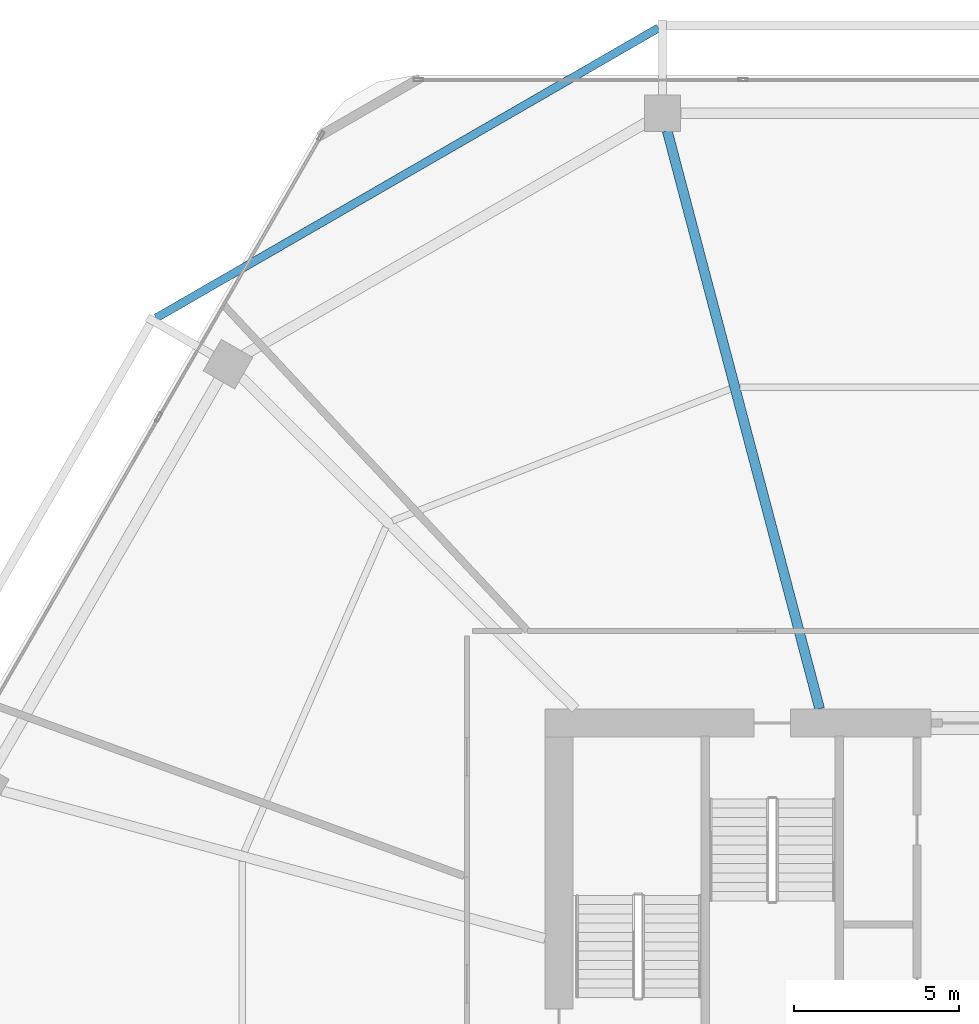
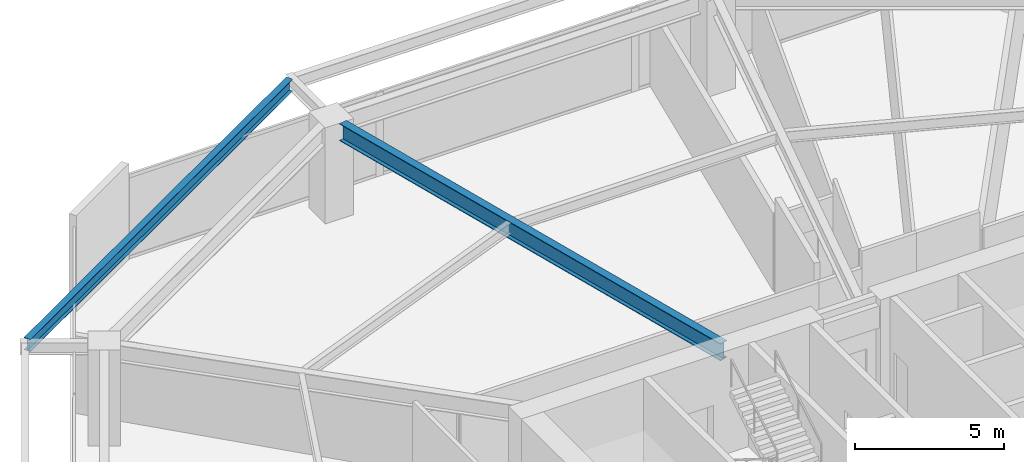
# One storey, part 16 of 28: 2 beams.
"""IFC4 building model written with IfcOpenShell, lengths in metres."""

import ifcopenshell
import ifcopenshell.guid

model = None  # the IFC model being written
_history = None  # IfcOwnerHistory: only IFC2X3 demands one
_inside = {}  # id of a spatial element -> (the spatial element, [elements in it])
_under = {}  # id of a project, library or spatial element -> (it, [spatial elements below it])
_declared = {}  # id of a project -> (the project, [libraries it declares])
_typed = {}  # id of a type object -> (the type object, [elements of that type])
_made_of = {}  # id of a material, layer set ... -> (it, [elements and type objects made of it])


def new_model(schema):
    """Start an empty IFC model of exactly this schema.

    Asked for "IFC4X3", IfcOpenShell would pick the latest addendum, in which some entities
    have other attributes; the version numbers below select the first issue.
    IFC2X3 requires an IfcOwnerHistory on every rooted entity: one is made here for all.
    """
    global model, _history
    if schema == "IFC4X3":
        model = ifcopenshell.file(schema_version=(4, 3, 0, 0))
    else:
        model = ifcopenshell.file(schema=schema)
    _inside.clear()
    _under.clear()
    _declared.clear()
    _typed.clear()
    _made_of.clear()
    _history = None
    if model.schema == "IFC2X3":
        org = make("IfcOrganization", Name="unknown")
        user = make(
            "IfcPersonAndOrganization",
            ThePerson=make("IfcPerson", FamilyName="unknown"),
            TheOrganization=org,
        )
        app = make(
            "IfcApplication",
            ApplicationDeveloper=org,
            Version="unknown",
            ApplicationFullName="unknown",
            ApplicationIdentifier="unknown",
        )
        _history = make(
            "IfcOwnerHistory",
            OwningUser=user,
            OwningApplication=app,
            ChangeAction="ADDED",
            CreationDate=0,
        )
    return model


def make(cls, **values):
    """One entity of the class cls with the attributes given. An attribute that is None is left unset."""
    return model.create_entity(
        cls, **{name: value for name, value in values.items() if value is not None}
    )


def rooted(cls, **values):
    """An entity with a GlobalId (a new one), such as an element, a storey or a relation."""
    return make(cls, GlobalId=ifcopenshell.guid.new(), OwnerHistory=_history, **values)


def si_unit(unit_type, name, prefix=None):
    """IfcSIUnit, for example si_unit("LENGTHUNIT", "METRE", prefix="MILLI")."""
    return make("IfcSIUnit", UnitType=unit_type, Prefix=prefix, Name=name)


def assignment(units):
    """IfcUnitAssignment: the units of a project."""
    return None if units is None else make("IfcUnitAssignment", Units=units)


def point(xyz):
    """IfcCartesianPoint."""
    return None if xyz is None else make("IfcCartesianPoint", Coordinates=xyz)


def direction(xyz):
    """IfcDirection."""
    return None if xyz is None else make("IfcDirection", DirectionRatios=xyz)


def frame(location, z_axis=None, x_axis=None):
    """IfcAxis2Placement3D, a coordinate frame: its origin and axes. An axis left out is left unset."""
    return make(
        "IfcAxis2Placement3D",
        Location=point(location),
        Axis=direction(z_axis),
        RefDirection=direction(x_axis),
    )


def frame_2d(location, x_axis=None):
    """IfcAxis2Placement2D, a coordinate frame in the plane: its origin and x axis."""
    return make(
        "IfcAxis2Placement2D", Location=point(location), RefDirection=direction(x_axis)
    )


def origin():
    """The frame at (0, 0, 0) with its axes left unset."""
    return frame((0.0, 0.0, 0.0))


def origin_2d():
    """The frame at (0, 0) in the plane with its x axis left unset."""
    return frame_2d((0.0, 0.0))


def place(relative_to, where):
    """IfcLocalPlacement: puts the frame where relative to a parent placement (None: the world)."""
    return make(
        "IfcLocalPlacement", PlacementRelTo=relative_to, RelativePlacement=where
    )


def context(
    kind, dimensions, precision=None, world=None, true_north=None, identifier=None
):
    """IfcGeometricRepresentationContext, for example the 3D "Model" context."""
    return make(
        "IfcGeometricRepresentationContext",
        ContextIdentifier=identifier,
        ContextType=kind,
        CoordinateSpaceDimension=dimensions,
        Precision=precision,
        WorldCoordinateSystem=world,
        TrueNorth=true_north,
    )


def subcontext(parent, identifier, kind, view, scale=None):
    """IfcGeometricRepresentationSubContext, for example "Body" below "Model"."""
    return make(
        "IfcGeometricRepresentationSubContext",
        ContextIdentifier=identifier,
        ContextType=kind,
        ParentContext=parent,
        TargetScale=scale,
        TargetView=view,
    )


def project(units=None, contexts=None):
    """IfcProject with its units and contexts."""
    return rooted(
        "IfcProject",
        Name="project",
        RepresentationContexts=contexts,
        UnitsInContext=assignment(units),
    )


def spatial(cls, under=None, at=None, **own):
    """A site, building, storey or space (cls), placed at a placement, below another one or the project."""
    s = rooted(cls, ObjectPlacement=at, **own)
    if under is not None:
        _under.setdefault(under.id(), (under, []))[1].append(s)
    return s


def profile(cls, at=None, kind="AREA", **sizes):
    """A parametric profile (cls). Its sizes go by their IFC names, for example OverallWidth=200.0."""
    return make(cls, ProfileType=kind, Position=at, **sizes)


def i_section(**sizes):
    """IfcIShapeProfileDef."""
    return profile("IfcIShapeProfileDef", **sizes)


def extrude(swept, where, along, depth):
    """IfcExtrudedAreaSolid: the profile swept, set in the frame where, extruded along a direction by depth."""
    return make(
        "IfcExtrudedAreaSolid",
        SweptArea=swept,
        Position=where,
        ExtrudedDirection=direction(along),
        Depth=depth,
    )


def shape(context_of_items, identifier, shape_type, items):
    """IfcShapeRepresentation: the items that make up one representation, for example the "Body"."""
    return make(
        "IfcShapeRepresentation",
        ContextOfItems=context_of_items,
        RepresentationIdentifier=identifier,
        RepresentationType=shape_type,
        Items=items,
    )


def material(Name=None, Category=None):
    """IfcMaterial."""
    return make("IfcMaterial", Name=Name, Category=Category)


def material_profile(
    of_material, cross_section, Name=None, Category=None, Priority=None
):
    """IfcMaterialProfile: a cross section and its material."""
    return make(
        "IfcMaterialProfile",
        Name=Name,
        Material=of_material,
        Profile=cross_section,
        Priority=Priority,
        Category=Category,
    )


def profile_set(profiles, Name=None, composite=None):
    """IfcMaterialProfileSet."""
    return make(
        "IfcMaterialProfileSet",
        Name=Name,
        MaterialProfiles=profiles,
        CompositeProfile=composite,
    )


def made_of(thing, what):
    """Note that an element or type object is made of a material, layer set ...; save() writes the relation."""
    if what is not None:
        _made_of.setdefault(what.id(), (what, []))[1].append(thing)
    return thing


def type_object(cls, material=None, **own):
    """A type object (cls), such as IfcWallType, which elements share."""
    return made_of(rooted(cls, **own), material)


def element(
    cls,
    number,
    at=None,
    inside=None,
    cuts=None,
    type_object=None,
    material=None,
    context=None,
    identifier="Body",
    shape_type=None,
    held_by="IfcProductDefinitionShape",
    body=None,
    shapes=None,
    **own,
):
    """One element of the class cls, such as IfcWall. Its Tag is "e" and its number.

    at: its placement. inside: the storey or other place that contains it. cuts: it is an
    opening in that element (IfcRelVoidsElement). A single representation is given by context,
    identifier, shape_type and body (its items); several are given by shapes. held_by: the class
    of the entity that holds the representations. save() writes the other relations.
    """
    e = rooted(cls, Tag="e%d" % number, ObjectPlacement=at, **own)
    if body is not None:
        shapes = [shape(context, identifier, shape_type, body)]
    if shapes is not None:
        e.Representation = make(held_by, Representations=shapes)
    if inside is not None:
        _inside.setdefault(inside.id(), (inside, []))[1].append(e)
    if cuts is not None:
        rooted(
            "IfcRelVoidsElement", RelatingBuildingElement=cuts, RelatedOpeningElement=e
        )
    if type_object is not None:
        _typed.setdefault(type_object.id(), (type_object, []))[1].append(e)
    return made_of(e, material)


def aggregate(whole, parts):
    """IfcRelAggregates: a whole, such as a stair, and the parts it consists of."""
    return rooted("IfcRelAggregates", RelatingObject=whole, RelatedObjects=parts)


def save(model, path):
    """Write the relations noted so far, then the file.

    IfcRelAggregates (storeys below a building ...), IfcRelContainedInSpatialStructure (elements
    in a storey), IfcRelDefinesByType, IfcRelAssociatesMaterial and IfcRelDeclares: one each for
    every whole, place, type object, material and project.
    """
    for whole, parts in _under.values():
        aggregate(whole, parts)
    for where, things in _inside.values():
        rooted(
            "IfcRelContainedInSpatialStructure",
            RelatedElements=things,
            RelatingStructure=where,
        )
    for kind, things in _typed.values():
        rooted("IfcRelDefinesByType", RelatedObjects=things, RelatingType=kind)
    for what, things in _made_of.values():
        rooted("IfcRelAssociatesMaterial", RelatedObjects=things, RelatingMaterial=what)
    for by, libraries in _declared.values():
        rooted("IfcRelDeclares", RelatingContext=by, RelatedDefinitions=libraries)
    model.write(path)


model = new_model("IFC4")

# Units and contexts
model_context = context("Model", 3, precision=1e-05, world=origin(), true_north=direction((0.0, 1.0)))
body_context = subcontext(model_context, "Body", "Model", "MODEL_VIEW")
ifc_project = project(units=[si_unit("LENGTHUNIT", "METRE"), si_unit("AREAUNIT", "SQUARE_METRE"), si_unit("VOLUMEUNIT", "CUBIC_METRE"), si_unit("PLANEANGLEUNIT", "RADIAN"), si_unit("MASSUNIT", "GRAM", prefix="KILO")], contexts=[model_context])

# Site, building, storey
site_placement = place(None, origin())
site = spatial("IfcSite", under=ifc_project, at=site_placement, CompositionType="ELEMENT")
building_placement = place(site_placement, origin())
building = spatial("IfcBuilding", under=site, at=building_placement, Name="Zuhravey Tower", CompositionType="ELEMENT")
storey_placement = place(building_placement, frame((0.0, 0.0, 79.199951171875)))
storey = spatial("IfcBuildingStorey", under=building, at=storey_placement, Name="L19", CompositionType="ELEMENT", Elevation=79.199951171875)

# Beams
ifc_material = material(Name="Steel SM355", Category="steel")
ifc_material_profile_1 = material_profile(ifc_material, i_section(OverallWidth=0.300048828125, OverallDepth=0.699951171875, WebThickness=0.012939453125, FlangeThickness=0.02392578125, at=origin_2d()), Name="H-700x300x13x24")
ifc_profile_set_1 = profile_set([ifc_material_profile_1], Name="Steel SM355")
beam_type_1 = type_object("IfcBeamType", Name="Radial Primary Girder H700x300", PredefinedType="BEAM", material=ifc_profile_set_1)
beam_1_placement = place(storey_placement, frame((33.382080078125, 41.927978515625, 3.570068359375), z_axis=(-0.254987019627, 0.96694447608, 0.0), x_axis=(-0.96694447608, -0.254987019627, 0.0)))
element("IfcBeam", 1, at=beam_1_placement, inside=storey, type_object=beam_type_1, Name="L19 RG1 BM-L19-RAD-04", PredefinedType="BEAM", context=body_context, shape_type="SweptSolid", body=[
    extrude(i_section(OverallWidth=0.300048828125, OverallDepth=0.699951171875, WebThickness=0.012939453125, FlangeThickness=0.02392578125, at=origin_2d()), origin(), (0.0, 0.0, 1.0), 18.08349609375),
])
ifc_material_profile_2 = material_profile(ifc_material, i_section(OverallWidth=0.25, OverallDepth=0.5, WebThickness=0.010009765625, FlangeThickness=0.01611328125, at=origin_2d()), Name="H-500x250x10x16")
ifc_profile_set_2 = profile_set([ifc_material_profile_2], Name="Steel SM355")
beam_type_2 = type_object("IfcBeamType", Name="Tray Cantilever Spandrel H500x250", PredefinedType="SPANDREL", material=ifc_profile_set_2)
beam_2_placement = place(storey_placement, frame((28.5087890625, 62.528564453125, 3.670166015625), z_axis=(-0.866027161532, -0.49999695548, 0.0), x_axis=(0.49999695548, -0.866027161532, 0.0)))
element("IfcBeam", 2, at=beam_2_placement, inside=storey, type_object=beam_type_2, Name="L19 Sky-Tray Edge Spandrel TSB1-04", PredefinedType="SPANDREL", context=body_context, shape_type="SweptSolid", body=[
    extrude(i_section(OverallWidth=0.25, OverallDepth=0.5, WebThickness=0.010009765625, FlangeThickness=0.01611328125, at=origin_2d()), origin(), (0.0, 0.0, 1.0), 17.55322265625),
])

save(model, "model.ifc")
